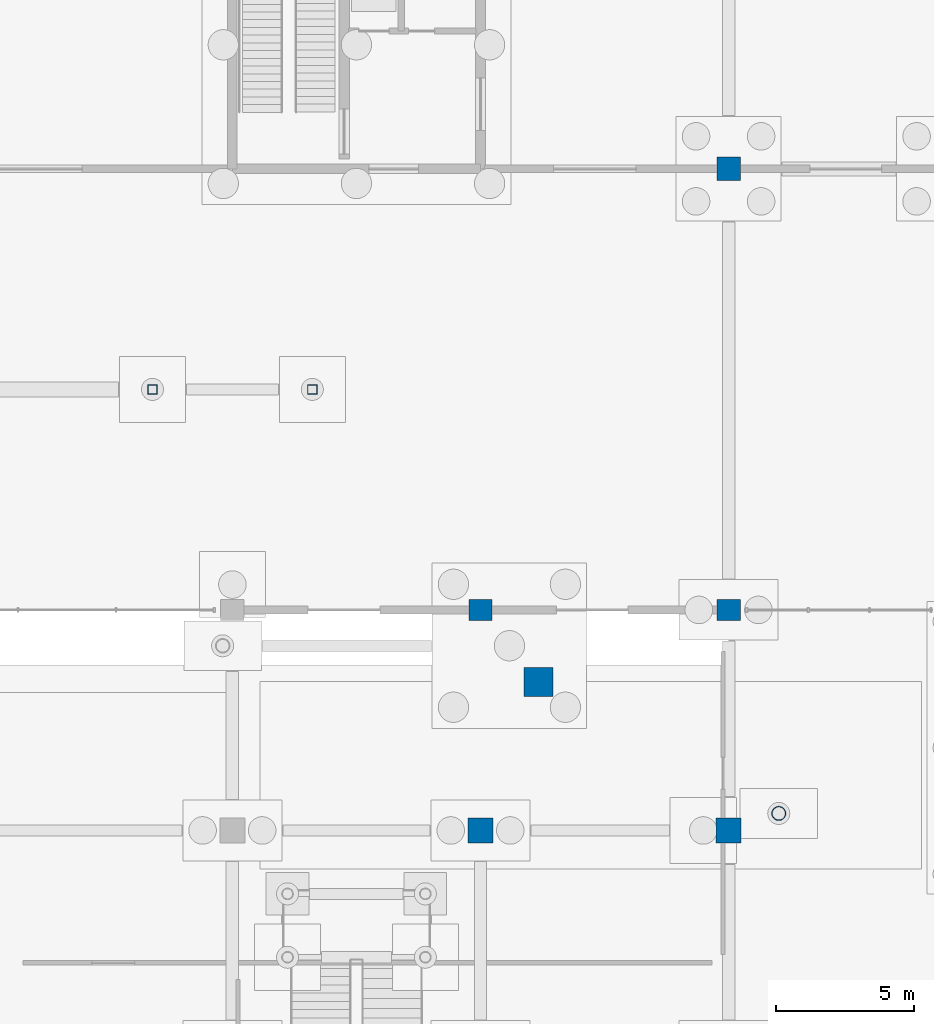
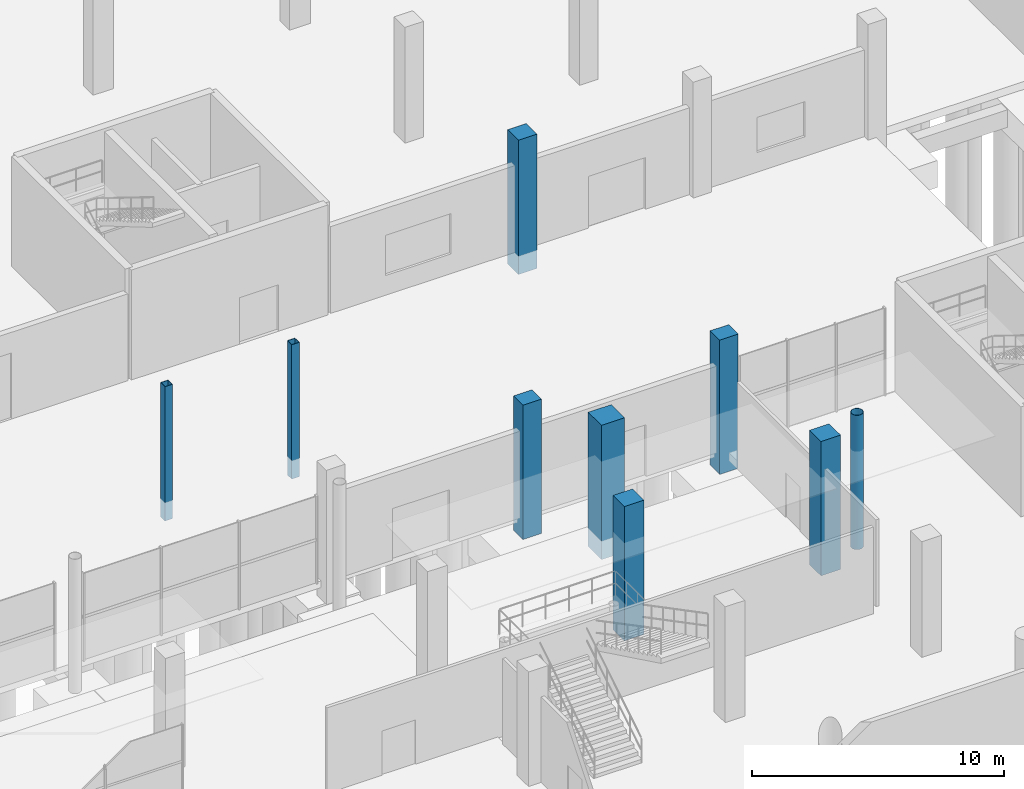
# One storey, part 25 of 98: 9 columns.
"""IFC4 building model written with IfcOpenShell, lengths in metres."""

from ifc_helpers import new_model, si_unit, derived_unit, direction, frame, origin, origin_2d, place, context, subcontext, project, spatial, rectangle, hollow_rectangle, hollow_circle, extrude, material, material_profile, profile_set, type_object, element, save


model = new_model("IFC4")

# Units and contexts
model_context = context("Model", 3, precision=1e-05, world=origin(), true_north=direction((0.0, 1.0)))
body_context = subcontext(model_context, "Body", "Model", "MODEL_VIEW")
ifc_project = project(units=[si_unit("LENGTHUNIT", "METRE"), si_unit("AREAUNIT", "SQUARE_METRE"), si_unit("VOLUMEUNIT", "CUBIC_METRE"), si_unit("PLANEANGLEUNIT", "RADIAN"), si_unit("MASSUNIT", "GRAM", prefix="KILO"), si_unit("THERMODYNAMICTEMPERATUREUNIT", "KELVIN"), derived_unit("THERMALTRANSMITTANCEUNIT", [(si_unit("POWERUNIT", "WATT"), 1), (si_unit("AREAUNIT", "SQUARE_METRE"), -1), (si_unit("THERMODYNAMICTEMPERATUREUNIT", "KELVIN"), -1)])], contexts=[model_context])

# Site, building, storey
site_placement = place(None, origin())
site = spatial("IfcSite", under=ifc_project, at=site_placement, CompositionType="ELEMENT")
building_placement = place(site_placement, origin())
building = spatial("IfcBuilding", under=site, at=building_placement, Name="Haiyu Intermodal Mobility Hub", CompositionType="ELEMENT")
storey_placement = place(building_placement, origin())
storey = spatial("IfcBuildingStorey", under=building, at=storey_placement, Name="L00", CompositionType="ELEMENT", Elevation=0.0)

# Columns
ifc_material_1 = material(Name="Precast concrete C40", Category="concrete")
ifc_material_profile_1 = material_profile(ifc_material_1, rectangle(XDim=0.85009765625, YDim=0.85009765625, at=origin_2d()), Name="RC850x850")
ifc_profile_set_1 = profile_set([ifc_material_profile_1], Name="Precast concrete C40")
column_type_1 = type_object("IfcColumnType", Name="COL-CC01-EXT", PredefinedType="COLUMN", material=ifc_profile_set_1)
column_1_placement = place(storey_placement, frame((138.0, 104.0, -0.89990234375), z_axis=(0.0, 0.0, 1.0), x_axis=(1.0, 0.0, 0.0)))
element("IfcColumn", 1, at=column_1_placement, inside=storey, type_object=column_type_1, Name="Column V4-15M L00", PredefinedType="COLUMN", context=body_context, shape_type="SweptSolid", body=[
    extrude(rectangle(XDim=0.85009765625, YDim=0.85009765625, at=origin_2d()), origin(), (0.0, 0.0, 1.0), 6.5),
])
ifc_material_2 = material(Name="Concrete C40", Category="concrete")
ifc_material_profile_2 = material_profile(ifc_material_2, rectangle(XDim=0.89990234375, YDim=0.89990234375, at=origin_2d()), Name="RC900x900")
ifc_profile_set_2 = profile_set([ifc_material_profile_2], Name="Concrete C40")
column_type_2 = type_object("IfcColumnType", Name="COL-CC06", PredefinedType="COLUMN", material=ifc_profile_set_2)
for number, where, z_axis, x_axis, name in (
    (2, (129.0, 80.0, -0.89990234375), (0.0, 0.0, 1.0), (1.0, 0.0, 0.0), "Column V1-14J L00"),
    (3, (138.0, 80.0, -0.89990234375), (0.0, 0.0, 1.0), (1.0, 0.0, 0.0), "Column V1-15J L00"),
):
    element("IfcColumn", number, at=place(storey_placement, frame(where, z_axis=z_axis, x_axis=x_axis)), inside=storey, type_object=column_type_2, Name=name, PredefinedType="COLUMN", context=body_context, shape_type="SweptSolid", body=[
        extrude(rectangle(XDim=0.89990234375, YDim=0.89990234375, at=origin_2d()), origin(), (0.0, 0.0, 1.0), 6.5),
    ])
ifc_material_profile_3 = material_profile(ifc_material_2, rectangle(XDim=1.050048828125, YDim=1.050048828125, at=origin_2d()), Name="RC1050x1050")
ifc_profile_set_3 = profile_set([ifc_material_profile_3], Name="Concrete C40")
column_type_3 = type_object("IfcColumnType", Name="COL-CC12-EXT", PredefinedType="COLUMN", material=ifc_profile_set_3)
column_2_placement = place(storey_placement, frame((131.10009765625, 85.39111328125, -0.89990234375), z_axis=(0.0, 0.0, 1.0), x_axis=(1.0, 0.0, 0.0)))
element("IfcColumn", 4, at=column_2_placement, inside=storey, type_object=column_type_3, Name="Column MP-02 L00", PredefinedType="COLUMN", context=body_context, shape_type="SweptSolid", body=[
    extrude(rectangle(XDim=1.050048828125, YDim=1.050048828125, at=origin_2d()), origin(), (0.0, 0.0, 1.0), 6.5),
])
ifc_material_profile_4 = material_profile(ifc_material_2, rectangle(XDim=0.85009765625, YDim=0.75, at=origin_2d()), Name="C850x750")
ifc_profile_set_4 = profile_set([ifc_material_profile_4], Name="Concrete C40")
column_type_4 = type_object("IfcColumnType", Name="COL-CC13-EXT", PredefinedType="COLUMN", material=ifc_profile_set_4)
for number, where, z_axis, x_axis, name in (
    (5, (129.0, 88.0, -0.89990234375), (0.0, 0.0, 1.0), (1.0, 0.0, 0.0), "Column V1-14K L00"),
    (6, (138.0, 88.0, -0.89990234375), (0.0, 0.0, 1.0), (1.0, 0.0, 0.0), "Column V1-15K L00"),
):
    element("IfcColumn", number, at=place(storey_placement, frame(where, z_axis=z_axis, x_axis=x_axis)), inside=storey, type_object=column_type_4, Name=name, PredefinedType="COLUMN", context=body_context, shape_type="SweptSolid", body=[
        extrude(rectangle(XDim=0.85009765625, YDim=0.75, at=origin_2d()), origin(), (0.0, 0.0, 1.0), 6.5),
    ])
ifc_material_3 = material(Name="Steel Q355C", Category="steel")
ifc_material_profile_5 = material_profile(ifc_material_3, hollow_circle(Radius=0.25390625, WallThickness=0.01611328125, at=origin_2d()), Name="CHS508x16")
ifc_profile_set_5 = profile_set([ifc_material_profile_5], Name="Steel Q355C")
column_type_5 = type_object("IfcColumnType", Name="COL-SC02-EXT", PredefinedType="COLUMN", material=ifc_profile_set_5)
column_3_placement = place(storey_placement, frame((139.820068359375, 80.616943359375, -0.89990234375), z_axis=(0.0, 0.0, 1.0), x_axis=(1.0, 0.0, 0.0)))
element("IfcColumn", 7, at=column_3_placement, inside=storey, type_object=column_type_5, Name="Column RCOL-04 L00", PredefinedType="COLUMN", context=body_context, shape_type="SweptSolid", body=[
    extrude(hollow_circle(Radius=0.25390625, WallThickness=0.01611328125, at=origin_2d()), origin(), (0.0, 0.0, 1.0), 6.5),
])
ifc_material_profile_6 = material_profile(ifc_material_3, hollow_rectangle(XDim=0.35009765625, YDim=0.35009765625, WallThickness=0.01611328125, at=origin_2d()), Name="SHS350x350x16")
ifc_profile_set_6 = profile_set([ifc_material_profile_6], Name="Steel Q355C")
column_type_6 = type_object("IfcColumnType", Name="COL-SC08-EXT", PredefinedType="COLUMN", material=ifc_profile_set_6)
for number, where, z_axis, x_axis, name in (
    (8, (117.10009765625, 96.0, -0.89990234375), (0.0, 0.0, 1.0), (1.0, 0.0, 0.0), "Column BRG-BEW L00"),
    (9, (122.89990234375, 96.0, -0.89990234375), (0.0, 0.0, 1.0), (1.0, 0.0, 0.0), "Column BRG-BEE L00"),
):
    element("IfcColumn", number, at=place(storey_placement, frame(where, z_axis=z_axis, x_axis=x_axis)), inside=storey, type_object=column_type_6, Name=name, PredefinedType="COLUMN", context=body_context, shape_type="SweptSolid", body=[
        extrude(hollow_rectangle(XDim=0.35009765625, YDim=0.35009765625, WallThickness=0.01611328125, at=origin_2d()), origin(), (0.0, 0.0, 1.0), 6.5),
    ])

save(model, "model.ifc")
